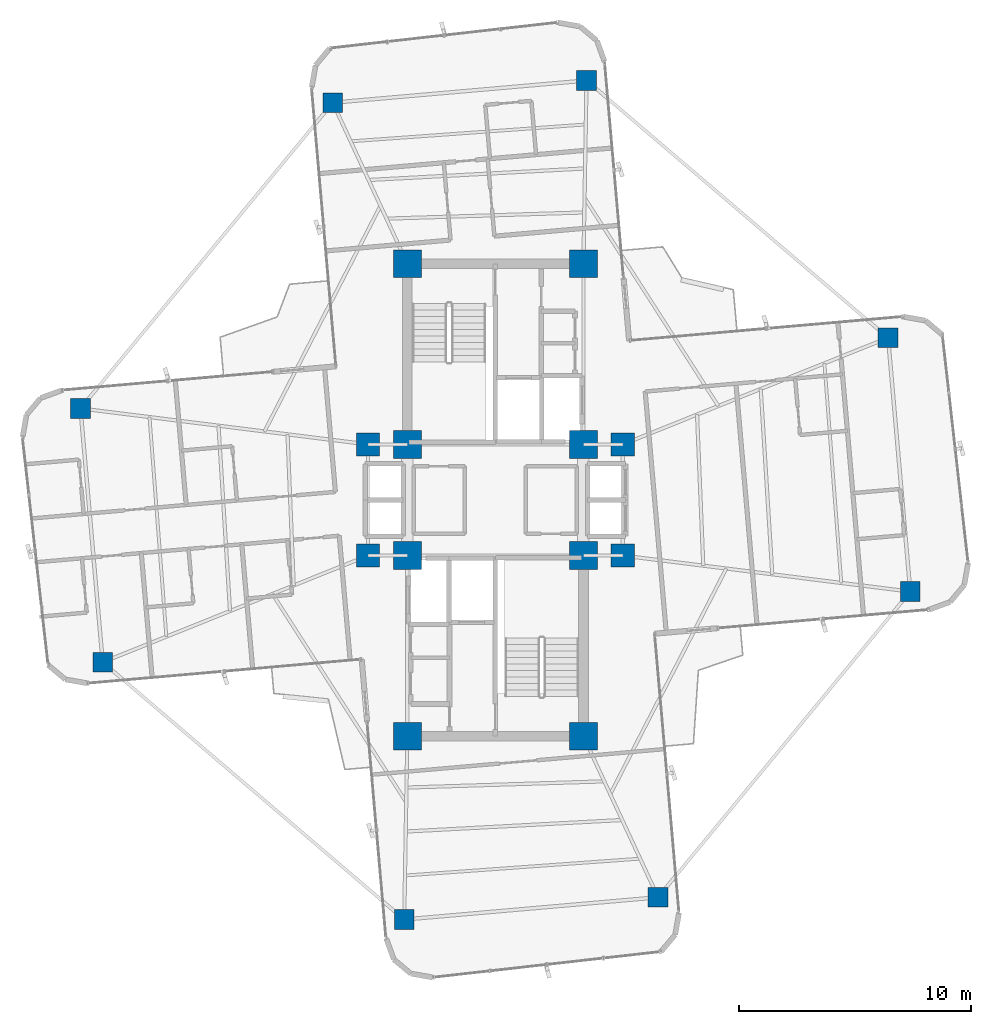
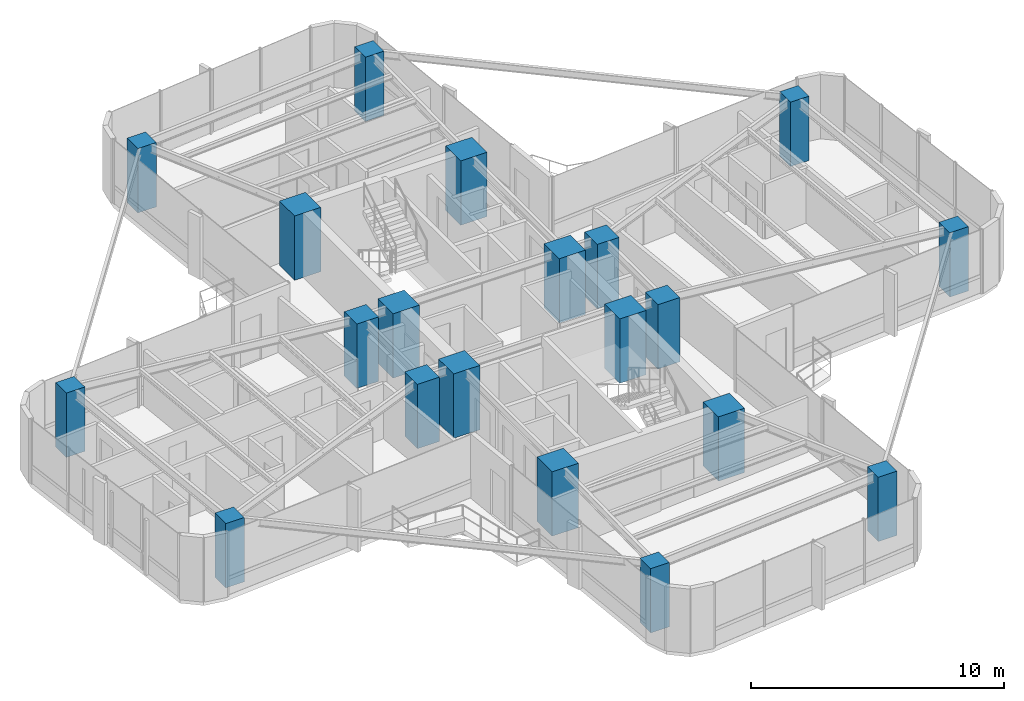
# One storey, part 1 of 24: 20 columns.
"""IFC4 building model written with IfcOpenShell, lengths in metres."""

from ifc_helpers import new_model, si_unit, direction, frame, origin, origin_2d, place, context, subcontext, project, spatial, rectangle, extrude, source, transform, mapped, material, material_profile, profile_set, type_object, element, save


model = new_model("IFC4")

# Units and contexts
model_context = context("Model", 3, precision=1e-05, world=origin(), true_north=direction((0.0, 1.0)))
body_context = subcontext(model_context, "Body", "Model", "MODEL_VIEW")
ifc_project = project(units=[si_unit("LENGTHUNIT", "METRE"), si_unit("AREAUNIT", "SQUARE_METRE"), si_unit("VOLUMEUNIT", "CUBIC_METRE"), si_unit("PLANEANGLEUNIT", "RADIAN"), si_unit("MASSUNIT", "GRAM", prefix="KILO")], contexts=[model_context])

# Site, building, storey
site_placement = place(None, origin())
site = spatial("IfcSite", under=ifc_project, at=site_placement, CompositionType="ELEMENT")
building_placement = place(site_placement, origin())
building = spatial("IfcBuilding", under=site, at=building_placement, Name="Sahyath Konkavel Grand Hotel", CompositionType="ELEMENT")
storey_placement = place(building_placement, frame((0.0, 0.0, 153.949951171875)))
storey = spatial("IfcBuildingStorey", under=building, at=storey_placement, Name="L42", CompositionType="ELEMENT", Elevation=153.949951171875)

# Columns
ifc_material_1 = material(Name="Concrete C50/60", Category="concrete")
ifc_material_profile_1 = material_profile(ifc_material_1, rectangle(XDim=1.199951171875, YDim=1.199951171875, at=origin_2d()), Name="RC 1200x1200")
ifc_profile_set_1 = profile_set([ifc_material_profile_1], Name="Concrete C50/60")
column_type_1 = type_object("IfcColumnType", Name="COL-RC1200", PredefinedType="COLUMN", material=ifc_profile_set_1)
shared_shape_1 = source(origin(), body_context, "Body", "SweptSolid", [
    extrude(rectangle(XDim=1.199951171875, YDim=1.199951171875, at=origin_2d()), origin(), (0.0, 0.0, 1.0), 3.110107421875),
])
for number, where, z_axis, x_axis, name in (
    (1, (-3.800048828125, 2.39990234375, 0.0), (0.0, 0.0, 1.0), (1.0, 0.0, 0.0), "L42 Core Boundary Column NC-SW"),
    (2, (3.800048828125, 2.39990234375, 0.0), (0.0, 0.0, 1.0), (1.0, 0.0, 0.0), "L42 Core Boundary Column NC-SE"),
    (3, (-3.800048828125, 10.199951171875, 0.0), (0.0, 0.0, 1.0), (1.0, 0.0, 0.0), "L42 Core Boundary Column NC-NW"),
    (4, (3.800048828125, 10.199951171875, 0.0), (0.0, 0.0, 1.0), (1.0, 0.0, 0.0), "L42 Core Boundary Column NC-NE"),
    (5, (-3.800048828125, -2.39990234375, 0.0), (0.0, 0.0, 1.0), (1.0, 0.0, 0.0), "L42 Core Boundary Column SC-NW"),
    (6, (3.800048828125, -2.39990234375, 0.0), (0.0, 0.0, 1.0), (1.0, 0.0, 0.0), "L42 Core Boundary Column SC-NE"),
    (7, (-3.800048828125, -10.199951171875, 0.0), (0.0, 0.0, 1.0), (1.0, 0.0, 0.0), "L42 Core Boundary Column SC-SW"),
    (8, (3.800048828125, -10.199951171875, 0.0), (0.0, 0.0, 1.0), (1.0, 0.0, 0.0), "L42 Core Boundary Column SC-SE"),
):
    element("IfcColumn", number, at=place(storey_placement, frame(where, z_axis=z_axis, x_axis=x_axis)), inside=storey, type_object=column_type_1, Name=name, PredefinedType="COLUMN", context=body_context, shape_type="MappedRepresentation", body=[
        mapped(shared_shape_1, transform((0.0, 0.0, 0.0), scale=1.0)),
    ])
ifc_material_profile_2 = material_profile(ifc_material_1, rectangle(XDim=1.0, YDim=1.0, at=origin_2d()), Name="RC 1000x1000")
ifc_profile_set_2 = profile_set([ifc_material_profile_2], Name="Concrete C50/60")
column_type_2 = type_object("IfcColumnType", Name="COL-RC1000", PredefinedType="COLUMN", material=ifc_profile_set_2)
shared_shape_2 = source(origin(), body_context, "Body", "SweptSolid", [
    extrude(rectangle(XDim=1.0, YDim=1.0, at=origin_2d()), origin(), (0.0, 0.0, 1.0), 3.110107421875),
])
for number, where, z_axis, x_axis, name in (
    (9, (5.5, 2.39990234375, 0.0), (0.0, 0.0, 1.0), (1.0, 0.0, 0.0), "L42 Central Spine Column HB-NE"),
    (10, (-5.5, 2.39990234375, 0.0), (0.0, 0.0, 1.0), (1.0, 0.0, 0.0), "L42 Central Spine Column HB-NW"),
    (11, (5.5, -2.39990234375, 0.0), (0.0, 0.0, 1.0), (1.0, 0.0, 0.0), "L42 Central Spine Column HB-SE"),
    (12, (-5.5, -2.39990234375, 0.0), (0.0, 0.0, 1.0), (1.0, 0.0, 0.0), "L42 Central Spine Column HB-SW"),
):
    element("IfcColumn", number, at=place(storey_placement, frame(where, z_axis=z_axis, x_axis=x_axis)), inside=storey, type_object=column_type_2, Name=name, PredefinedType="COLUMN", context=body_context, shape_type="MappedRepresentation", body=[
        mapped(shared_shape_2, transform((0.0, 0.0, 0.0), scale=1.0)),
    ])
ifc_material_2 = material(Name="Concrete C40/50", Category="concrete")
ifc_material_profile_3 = material_profile(ifc_material_2, rectangle(XDim=0.85009765625, YDim=0.85009765625, at=origin_2d()), Name="RC 850x850")
ifc_profile_set_3 = profile_set([ifc_material_profile_3], Name="Concrete C40/50")
column_type_3 = type_object("IfcColumnType", Name="COL-RC850", PredefinedType="COLUMN", material=ifc_profile_set_3)
shared_shape_3 = source(origin(), body_context, "Body", "SweptSolid", [
    extrude(rectangle(XDim=0.85009765625, YDim=0.85009765625, at=origin_2d()), origin(), (0.0, 0.0, 1.0), 3.110107421875),
])
for number, where, z_axis, x_axis, name in (
    (13, (17.912841796875, -3.953857421875, 0.0), (0.0, 0.0, 1.0), (1.0, 0.0, 0.0), "L42 Cruciform Wing Column WC-EA"),
    (14, (16.9541015625, 7.00439453125, 0.0), (0.0, 0.0, 1.0), (1.0, 0.0, 0.0), "L42 Cruciform Wing Column WC-EB"),
    (15, (3.936279296875, 18.112060546875, 0.0), (0.0, 0.0, 1.0), (1.0, 0.0, 0.0), "L42 Cruciform Wing Column WC-NA"),
    (16, (-7.021728515625, 17.1533203125, 0.0), (0.0, 0.0, 1.0), (1.0, 0.0, 0.0), "L42 Cruciform Wing Column WC-NB"),
    (17, (-17.912841796875, 3.953857421875, 0.0), (0.0, 0.0, 1.0), (1.0, 0.0, 0.0), "L42 Cruciform Wing Column WC-WA"),
    (18, (-16.9541015625, -7.00439453125, 0.0), (0.0, 0.0, 1.0), (1.0, 0.0, 0.0), "L42 Cruciform Wing Column WC-WB"),
    (19, (-3.936279296875, -18.112060546875, 0.0), (0.0, 0.0, 1.0), (1.0, 0.0, 0.0), "L42 Cruciform Wing Column WC-SA"),
    (20, (7.021728515625, -17.1533203125, 0.0), (0.0, 0.0, 1.0), (1.0, 0.0, 0.0), "L42 Cruciform Wing Column WC-SB"),
):
    element("IfcColumn", number, at=place(storey_placement, frame(where, z_axis=z_axis, x_axis=x_axis)), inside=storey, type_object=column_type_3, Name=name, PredefinedType="COLUMN", context=body_context, shape_type="MappedRepresentation", body=[
        mapped(shared_shape_3, transform((0.0, 0.0, 0.0), scale=1.0)),
    ])

save(model, "model.ifc")
